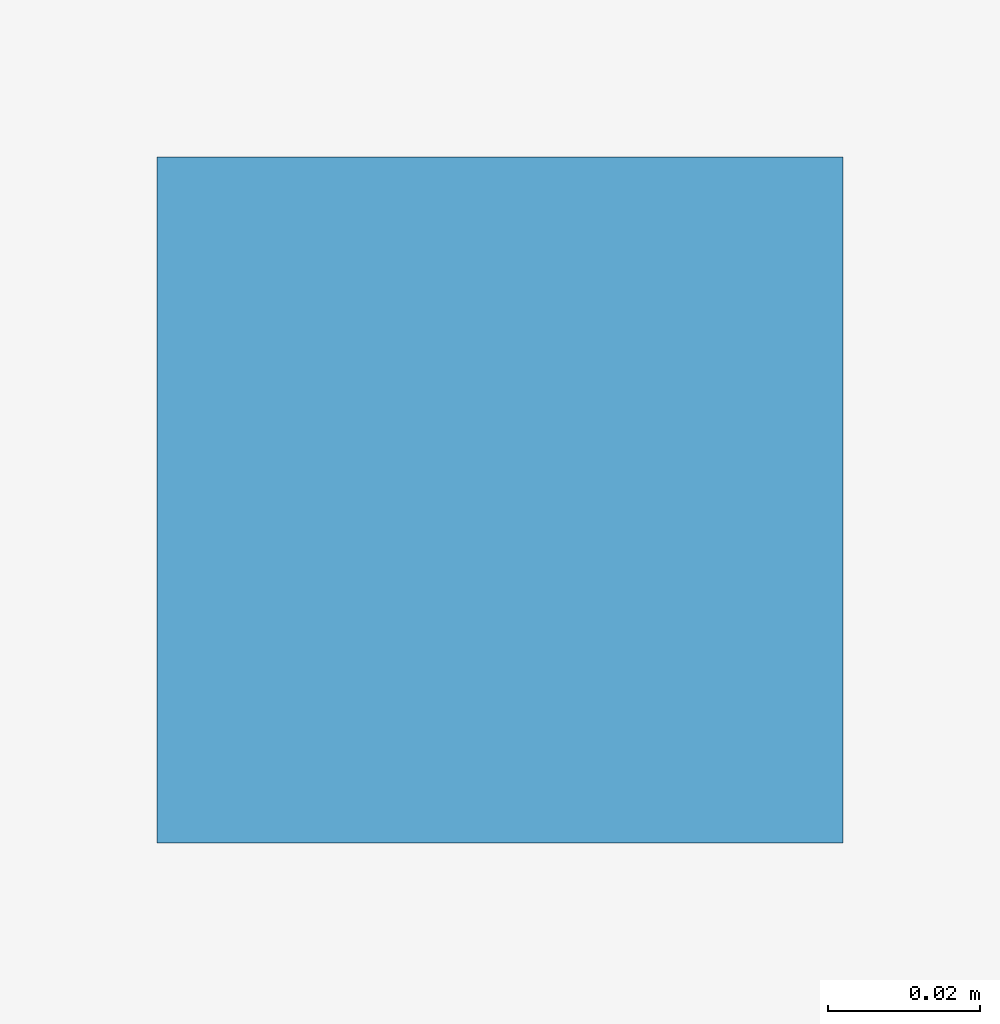
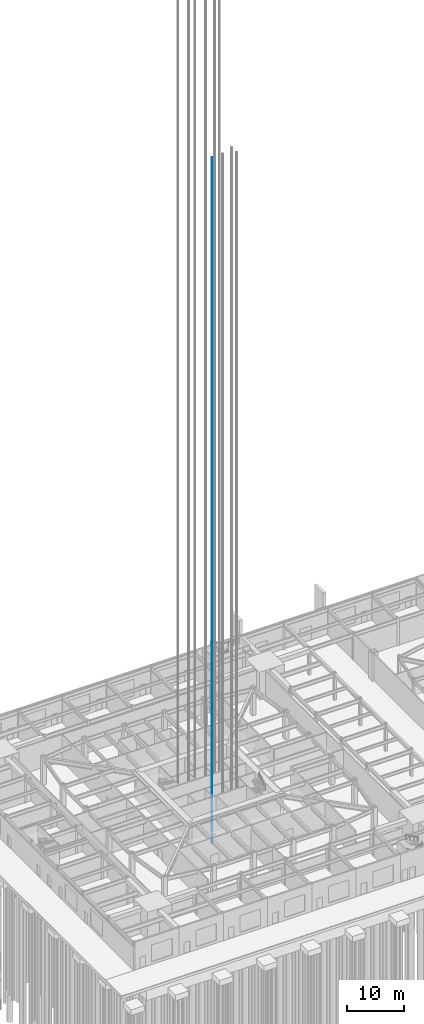
# One storey, part 23 of 37: 1 discrete accessory.
"""IFC4 building model written with IfcOpenShell, lengths in metres."""

from ifc_helpers import new_model, si_unit, direction, frame, origin, origin_2d, place, context, subcontext, project, spatial, rectangle, extrude, material, element, save


model = new_model("IFC4")

# Units and contexts
model_context = context("Model", 3, precision=1e-05, world=origin(), true_north=direction((0.0, 1.0)))
body_context = subcontext(model_context, "Body", "Model", "MODEL_VIEW")
ifc_project = project(units=[si_unit("LENGTHUNIT", "METRE"), si_unit("AREAUNIT", "SQUARE_METRE"), si_unit("VOLUMEUNIT", "CUBIC_METRE"), si_unit("PLANEANGLEUNIT", "RADIAN"), si_unit("MASSUNIT", "GRAM", prefix="KILO")], contexts=[model_context])

# Site, building, storey
site_placement = place(None, origin())
site = spatial("IfcSite", under=ifc_project, at=site_placement, CompositionType="ELEMENT")
building_placement = place(site_placement, origin())
building = spatial("IfcBuilding", under=site, at=building_placement, Name="Iwan Alto Co-Living Towers", CompositionType="ELEMENT")
storey_placement = place(building_placement, origin())
storey = spatial("IfcBuildingStorey", under=building, at=storey_placement, Name="L00", CompositionType="ELEMENT", Elevation=0.0)

# Discrete accessory
ifc_material = material(Name="Steel ASTM A36", Category="steel")
placement = place(storey_placement, frame((0.012451171875, -3.0, 0.0), z_axis=(0.0, 0.0, 1.0), x_axis=(1.0, 0.0, 0.0)))
discrete_accessory_placement = place(placement, origin())
element("IfcDiscreteAccessory", 1, at=discrete_accessory_placement, inside=storey, material=ifc_material, Name="Lift P2-3 guide rail 1", ObjectType="Lift guide rail", PredefinedType="USERDEFINED", context=body_context, shape_type="SweptSolid", body=[
    extrude(rectangle(XDim=0.09, YDim=0.09, at=origin_2d()), frame((-1.10009765625, 0.0, -5.0)), (0.0, 0.0, 1.0), 147.39990234375),
])

save(model, "model.ifc")
